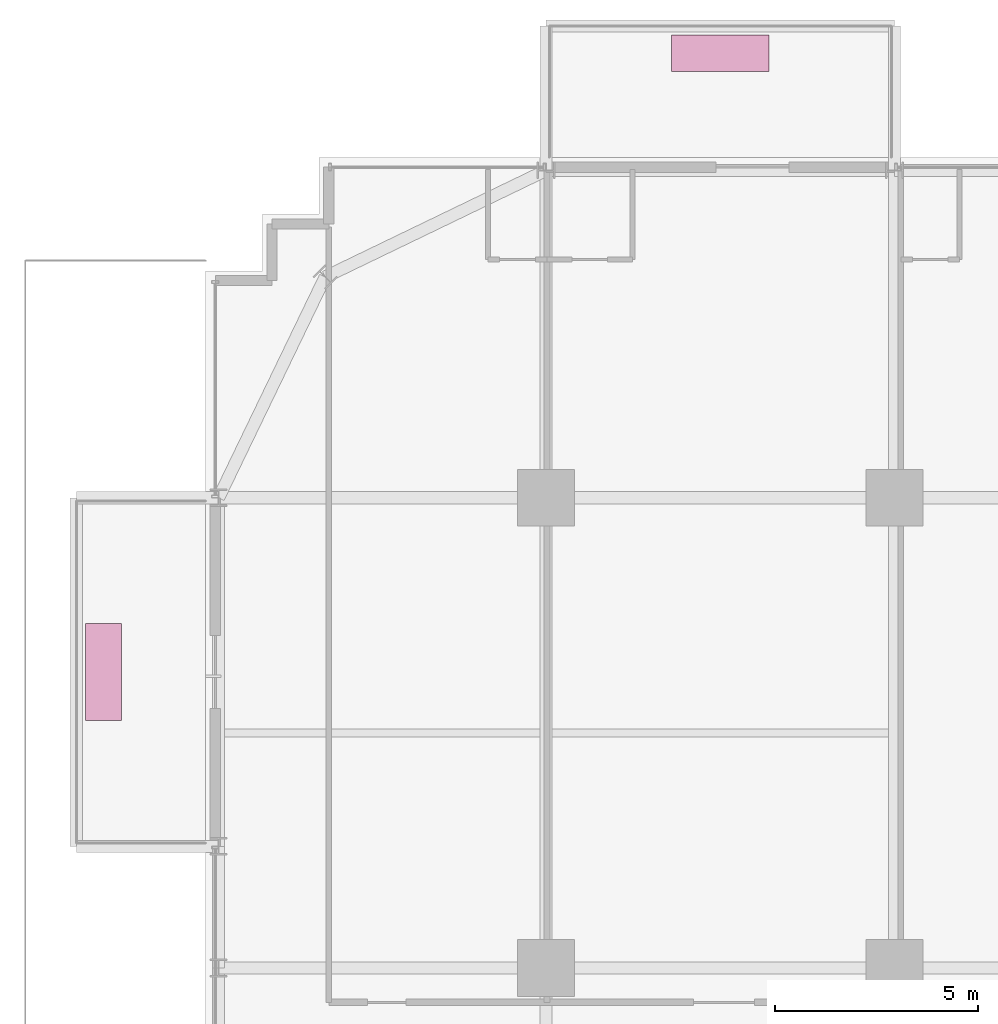
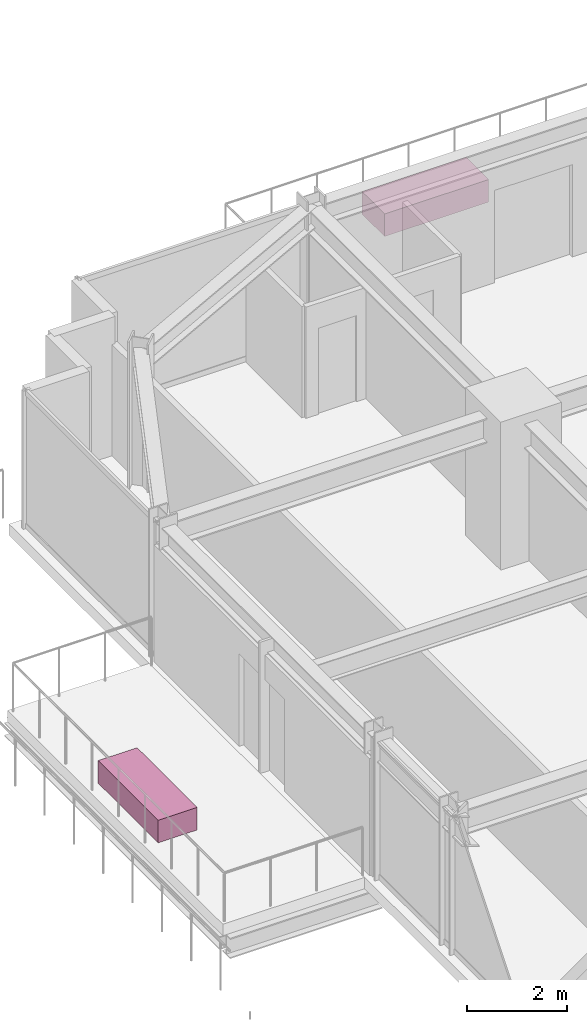
# One storey, part 39 of 39: 2 furnishings.
"""IFC4 building model written with IfcOpenShell, lengths in metres."""

from ifc_helpers import new_model, si_unit, direction, frame, origin, origin_2d, place, context, subcontext, project, spatial, rectangle, extrude, source, transform, mapped, material, type_object, element, save


model = new_model("IFC4")

# Units and contexts
model_context = context("Model", 3, precision=1e-05, world=origin(), true_north=direction((0.0, 1.0)))
body_context = subcontext(model_context, "Body", "Model", "MODEL_VIEW")
ifc_project = project(units=[si_unit("LENGTHUNIT", "METRE"), si_unit("AREAUNIT", "SQUARE_METRE"), si_unit("VOLUMEUNIT", "CUBIC_METRE"), si_unit("PLANEANGLEUNIT", "RADIAN"), si_unit("MASSUNIT", "GRAM", prefix="KILO")], contexts=[model_context])

# Site, building, storey
site_placement = place(None, origin())
site = spatial("IfcSite", under=ifc_project, at=site_placement, CompositionType="ELEMENT")
building_placement = place(site_placement, origin())
building = spatial("IfcBuilding", under=site, at=building_placement, Name="Nahalor Promenade Grand Hotel", CompositionType="ELEMENT")
storey_placement = place(building_placement, frame((0.0, 0.0, 32.39990234375)))
storey = spatial("IfcBuildingStorey", under=building, at=storey_placement, Name="L06", CompositionType="ELEMENT", Elevation=32.39990234375)

# Furnishings
ifc_material = material(Name="Vegetated Volcanic-Lapilli Tree Planter", Category="earth")
furnishing_element_type = type_object("IfcFurnishingElementType", Name="Planter-VerticalForest-Box", material=ifc_material)
shared_shape = source(origin(), body_context, "Body", "SweptSolid", [
    extrude(rectangle(XDim=2.39990234375, YDim=0.89990234375, at=origin_2d()), origin(), (0.0, 0.0, 1.0), 0.550048828125),
])
for number, where, z_axis, x_axis, name in (
    (1, (-12.699951171875, 27.969970703125, 0.0), (0.0, 0.0, 1.0), (1.0, 0.0, 0.0), "L06 Balcony Structural Tree Planter 1"),
    (2, (-27.919921875, 12.699951171875, 0.0), (0.0, 0.0, 1.0), (0.0, 1.0, 0.0), "L06 Balcony Structural Tree Planter 2"),
):
    element("IfcFurnishingElement", number, at=place(storey_placement, frame(where, z_axis=z_axis, x_axis=x_axis)), inside=storey, type_object=furnishing_element_type, Name=name, ObjectType="PLANTER", context=body_context, shape_type="MappedRepresentation", body=[
        mapped(shared_shape, transform((0.0, 0.0, 0.0), scale=1.0)),
    ])

save(model, "model.ifc")
